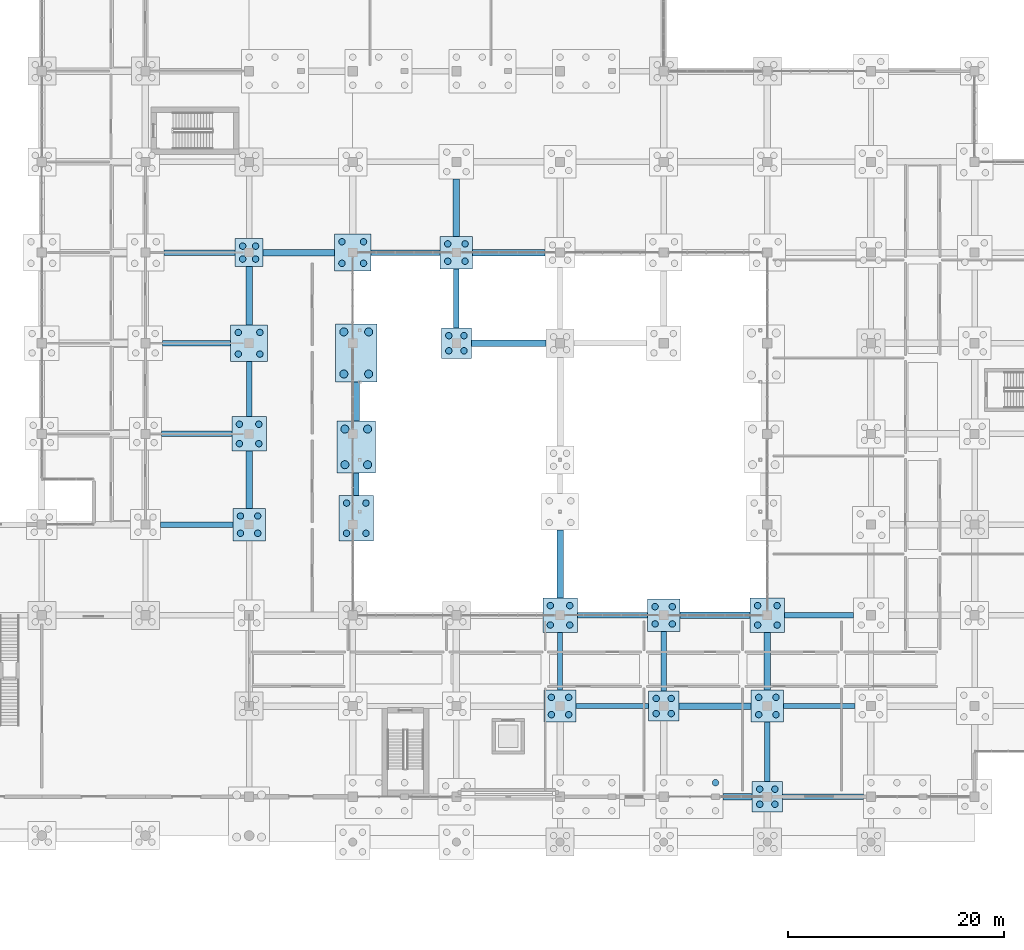
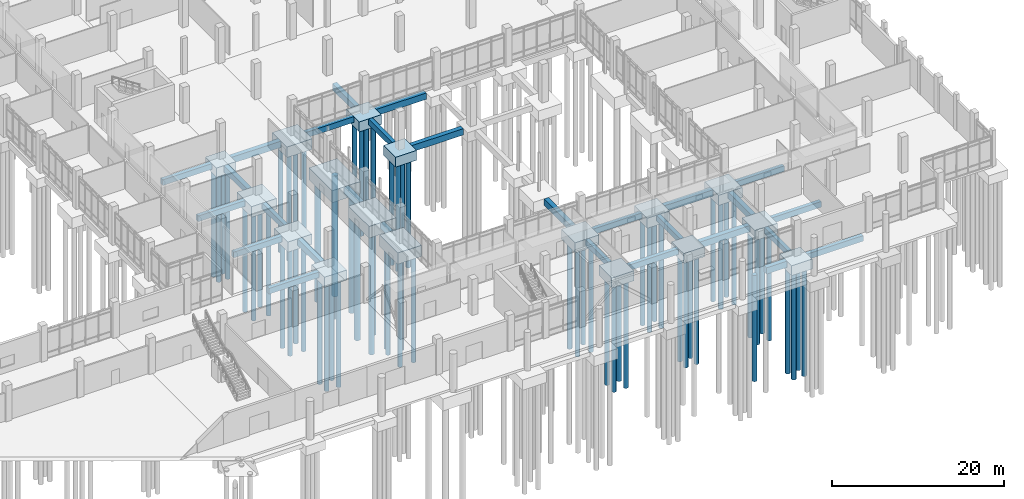
# One storey, part 12 of 136: 69 piles, 45 footings.
"""IFC4 building model written with IfcOpenShell, lengths in metres."""

from ifc_helpers import new_model, si_unit, direction, frame, origin, origin_2d, place, context, subcontext, project, spatial, rectangle, circle, extrude, material, material_profile, profile_set, type_object, element, save


model = new_model("IFC4")

# Units and contexts
model_context = context("Model", 3, precision=1e-05, world=origin(), true_north=direction((0.0, 1.0)))
body_context = subcontext(model_context, "Body", "Model", "MODEL_VIEW")
ifc_project = project(units=[si_unit("LENGTHUNIT", "METRE"), si_unit("AREAUNIT", "SQUARE_METRE"), si_unit("VOLUMEUNIT", "CUBIC_METRE"), si_unit("PLANEANGLEUNIT", "RADIAN"), si_unit("MASSUNIT", "GRAM", prefix="KILO")], contexts=[model_context])

# Site, building, storey
site_placement = place(None, origin())
site = spatial("IfcSite", under=ifc_project, at=site_placement, CompositionType="ELEMENT")
building_placement = place(site_placement, origin())
building = spatial("IfcBuilding", under=site, at=building_placement, Name="Oolite Switchyard Hospital", CompositionType="ELEMENT")
storey_placement = place(building_placement, origin())
storey = spatial("IfcBuildingStorey", under=building, at=storey_placement, Name="L00", CompositionType="ELEMENT", Elevation=0.0)

# Footings
ifc_material = material(Name="Concrete C40/50", Category="concrete")
footing_type_1 = type_object("IfcFootingType", Name="FTG-GB500X800", PredefinedType="FOOTING_BEAM", material=ifc_material)
footing_1_placement = place(storey_placement, frame((187.550048828125, 8.39990234375, -1.14990234375), z_axis=(0.0, 0.0, 1.0), x_axis=(1.0, 0.0, 0.0)))
element("IfcFooting", 1, at=footing_1_placement, inside=storey, type_object=footing_type_1, Name="L00 Grade Beam 18", PredefinedType="FOOTING_BEAM", context=body_context, shape_type="SweptSolid", body=[
    extrude(rectangle(XDim=7.5, YDim=0.5, at=origin_2d()), origin(), (0.0, 0.0, 1.0), 0.800048828125),
])
footing_2_placement = place(storey_placement, frame((168.050048828125, 16.800048828125, -1.14990234375), z_axis=(0.0, 0.0, 1.0), x_axis=(1.0, 0.0, 0.0)))
element("IfcFooting", 2, at=footing_2_placement, inside=storey, type_object=footing_type_1, Name="L00 Grade Beam 30", PredefinedType="FOOTING_BEAM", context=body_context, shape_type="SweptSolid", body=[
    extrude(rectangle(XDim=6.699951171875, YDim=0.5, at=origin_2d()), origin(), (0.0, 0.0, 1.0), 0.800048828125),
])
footing_3_placement = place(storey_placement, frame((187.199951171875, 16.800048828125, -1.14990234375), z_axis=(0.0, 0.0, 1.0), x_axis=(1.0, 0.0, 0.0)))
element("IfcFooting", 3, at=footing_3_placement, inside=storey, type_object=footing_type_1, Name="L00 Grade Beam 32", PredefinedType="FOOTING_BEAM", context=body_context, shape_type="SweptSolid", body=[
    extrude(rectangle(XDim=6.60009765625, YDim=0.5, at=origin_2d()), origin(), (0.0, 0.0, 1.0), 0.800048828125),
])
footing_4_placement = place(storey_placement, frame((168.050048828125, 25.199951171875, -1.14990234375), z_axis=(0.0, 0.0, 1.0), x_axis=(1.0, 0.0, 0.0)))
element("IfcFooting", 4, at=footing_4_placement, inside=storey, type_object=footing_type_1, Name="L00 Grade Beam 52", PredefinedType="FOOTING_BEAM", context=body_context, shape_type="SweptSolid", body=[
    extrude(rectangle(XDim=6.5, YDim=0.5, at=origin_2d()), origin(), (0.0, 0.0, 1.0), 0.800048828125),
])
footing_5_placement = place(storey_placement, frame((187.199951171875, 25.199951171875, -1.14990234375), z_axis=(0.0, 0.0, 1.0), x_axis=(1.0, 0.0, 0.0)))
element("IfcFooting", 5, at=footing_5_placement, inside=storey, type_object=footing_type_1, Name="L00 Grade Beam 54", PredefinedType="FOOTING_BEAM", context=body_context, shape_type="SweptSolid", body=[
    extrude(rectangle(XDim=6.39990234375, YDim=0.5, at=origin_2d()), origin(), (0.0, 0.0, 1.0), 0.800048828125),
])
footing_6_placement = place(storey_placement, frame((129.550048828125, 33.60009765625, -1.14990234375), z_axis=(0.0, 0.0, 1.0), x_axis=(1.0, 0.0, 0.0)))
element("IfcFooting", 6, at=footing_6_placement, inside=storey, type_object=footing_type_1, Name="L00 Grade Beam 70", PredefinedType="FOOTING_BEAM", context=body_context, shape_type="SweptSolid", body=[
    extrude(rectangle(XDim=6.699951171875, YDim=0.5, at=origin_2d()), origin(), (0.0, 0.0, 1.0), 0.800048828125),
])
footing_7_placement = place(storey_placement, frame((129.550048828125, 42.0, -1.14990234375), z_axis=(0.0, 0.0, 1.0), x_axis=(1.0, 0.0, 0.0)))
element("IfcFooting", 7, at=footing_7_placement, inside=storey, type_object=footing_type_1, Name="L00 Grade Beam 80", PredefinedType="FOOTING_BEAM", context=body_context, shape_type="SweptSolid", body=[
    extrude(rectangle(XDim=6.5, YDim=0.5, at=origin_2d()), origin(), (0.0, 0.0, 1.0), 0.800048828125),
])
footing_8_placement = place(storey_placement, frame((129.550048828125, 50.39990234375, -1.14990234375), z_axis=(0.0, 0.0, 1.0), x_axis=(1.0, 0.0, 0.0)))
element("IfcFooting", 8, at=footing_8_placement, inside=storey, type_object=footing_type_1, Name="L00 Grade Beam 90", PredefinedType="FOOTING_BEAM", context=body_context, shape_type="SweptSolid", body=[
    extrude(rectangle(XDim=6.300048828125, YDim=0.5, at=origin_2d()), origin(), (0.0, 0.0, 1.0), 0.800048828125),
])
footing_9_placement = place(storey_placement, frame((129.800048828125, 58.800048828125, -1.14990234375), z_axis=(0.0, 0.0, 1.0), x_axis=(1.0, 0.0, 0.0)))
element("IfcFooting", 9, at=footing_9_placement, inside=storey, type_object=footing_type_1, Name="L00 Grade Beam 102", PredefinedType="FOOTING_BEAM", context=body_context, shape_type="SweptSolid", body=[
    extrude(rectangle(XDim=6.60009765625, YDim=0.5, at=origin_2d()), origin(), (0.0, 0.0, 1.0), 0.800048828125),
])
footing_10_placement = place(storey_placement, frame((148.89990234375, 58.800048828125, -1.14990234375), z_axis=(0.0, 0.0, 1.0), x_axis=(1.0, 0.0, 0.0)))
element("IfcFooting", 10, at=footing_10_placement, inside=storey, type_object=footing_type_1, Name="L00 Grade Beam 104", PredefinedType="FOOTING_BEAM", context=body_context, shape_type="SweptSolid", body=[
    extrude(rectangle(XDim=6.39990234375, YDim=0.5, at=origin_2d()), origin(), (0.0, 0.0, 1.0), 0.800048828125),
])
footing_11_placement = place(storey_placement, frame((134.39990234375, 46.14990234375, -1.14990234375), z_axis=(0.0, 0.0, 1.0), x_axis=(0.0, 1.0, 0.0)))
element("IfcFooting", 11, at=footing_11_placement, inside=storey, type_object=footing_type_1, Name="L00 Grade Beam 425", PredefinedType="FOOTING_BEAM", context=body_context, shape_type="SweptSolid", body=[
    extrude(rectangle(XDim=5.10009765625, YDim=0.5, at=origin_2d()), origin(), (0.0, 0.0, 1.0), 0.800048828125),
])
footing_12_placement = place(storey_placement, frame((144.324951171875, 37.35009765625, -1.14990234375), z_axis=(0.0, 0.0, 1.0), x_axis=(0.0, 1.0, 0.0)))
element("IfcFooting", 12, at=footing_12_placement, inside=storey, type_object=footing_type_1, Name="L00 Grade Beam 443", PredefinedType="FOOTING_BEAM", context=body_context, shape_type="SweptSolid", body=[
    extrude(rectangle(XDim=2.10009765625, YDim=0.5, at=origin_2d()), origin(), (0.0, 0.0, 1.0), 0.800048828125),
])
footing_13_placement = place(storey_placement, frame((153.60009765625, 54.550048828125, -1.14990234375), z_axis=(0.0, 0.0, 1.0), x_axis=(0.0, 1.0, 0.0)))
element("IfcFooting", 13, at=footing_13_placement, inside=storey, type_object=footing_type_1, Name="L00 Grade Beam 447", PredefinedType="FOOTING_BEAM", context=body_context, shape_type="SweptSolid", body=[
    extrude(rectangle(XDim=5.5, YDim=0.5, at=origin_2d()), origin(), (0.0, 0.0, 1.0), 0.800048828125),
])
footing_14_placement = place(storey_placement, frame((163.199951171875, 20.949951171875, -1.14990234375), z_axis=(0.0, 0.0, 1.0), x_axis=(0.0, 1.0, 0.0)))
element("IfcFooting", 14, at=footing_14_placement, inside=storey, type_object=footing_type_1, Name="L00 Grade Beam 457", PredefinedType="FOOTING_BEAM", context=body_context, shape_type="SweptSolid", body=[
    extrude(rectangle(XDim=5.300048828125, YDim=0.5, at=origin_2d()), origin(), (0.0, 0.0, 1.0), 0.800048828125),
])
for number, where, z_axis, x_axis, name in (
    (15, (172.800048828125, 20.949951171875, -1.14990234375), (0.0, 0.0, 1.0), (0.0, 1.0, 0.0), "L00 Grade Beam 471"),
    (16, (182.39990234375, 12.550048828125, -1.14990234375), (0.0, 0.0, 1.0), (0.0, 1.0, 0.0), "L00 Grade Beam 485"),
):
    element("IfcFooting", number, at=place(storey_placement, frame(where, z_axis=z_axis, x_axis=x_axis)), inside=storey, type_object=footing_type_1, Name=name, PredefinedType="FOOTING_BEAM", context=body_context, shape_type="SweptSolid", body=[
        extrude(rectangle(XDim=5.5, YDim=0.5, at=origin_2d()), origin(), (0.0, 0.0, 1.0), 0.800048828125),
    ])
footing_type_2 = type_object("IfcFootingType", Name="FTG-GB600X900", PredefinedType="FOOTING_BEAM", material=ifc_material)
footing_15_placement = place(storey_placement, frame((179.64990234375, 8.39990234375, -1.25), z_axis=(0.0, 0.0, 1.0), x_axis=(1.0, 0.0, 0.0)))
element("IfcFooting", 17, at=footing_15_placement, inside=storey, type_object=footing_type_2, Name="L00 Grade Beam 17", PredefinedType="FOOTING_BEAM", context=body_context, shape_type="SweptSolid", body=[
    extrude(rectangle(XDim=2.699951171875, YDim=0.60009765625, at=origin_2d()), origin(), (0.0, 0.0, 1.0), 0.89990234375),
])
footing_16_placement = place(storey_placement, frame((177.550048828125, 16.800048828125, -1.25), z_axis=(0.0, 0.0, 1.0), x_axis=(1.0, 0.0, 0.0)))
element("IfcFooting", 18, at=footing_16_placement, inside=storey, type_object=footing_type_2, Name="L00 Grade Beam 31", PredefinedType="FOOTING_BEAM", context=body_context, shape_type="SweptSolid", body=[
    extrude(rectangle(XDim=6.699951171875, YDim=0.60009765625, at=origin_2d()), origin(), (0.0, 0.0, 1.0), 0.89990234375),
])
footing_17_placement = place(storey_placement, frame((177.550048828125, 25.199951171875, -1.25), z_axis=(0.0, 0.0, 1.0), x_axis=(1.0, 0.0, 0.0)))
element("IfcFooting", 19, at=footing_17_placement, inside=storey, type_object=footing_type_2, Name="L00 Grade Beam 53", PredefinedType="FOOTING_BEAM", context=body_context, shape_type="SweptSolid", body=[
    extrude(rectangle(XDim=6.5, YDim=0.60009765625, at=origin_2d()), origin(), (0.0, 0.0, 1.0), 0.89990234375),
])
footing_18_placement = place(storey_placement, frame((158.449951171875, 50.39990234375, -1.25), z_axis=(0.0, 0.0, 1.0), x_axis=(1.0, 0.0, 0.0)))
element("IfcFooting", 20, at=footing_18_placement, inside=storey, type_object=footing_type_2, Name="L00 Grade Beam 91", PredefinedType="FOOTING_BEAM", context=body_context, shape_type="SweptSolid", body=[
    extrude(rectangle(XDim=6.89990234375, YDim=0.60009765625, at=origin_2d()), origin(), (0.0, 0.0, 1.0), 0.89990234375),
])
footing_19_placement = place(storey_placement, frame((139.0, 58.800048828125, -1.25), z_axis=(0.0, 0.0, 1.0), x_axis=(1.0, 0.0, 0.0)))
element("IfcFooting", 21, at=footing_19_placement, inside=storey, type_object=footing_type_2, Name="L00 Grade Beam 103", PredefinedType="FOOTING_BEAM", context=body_context, shape_type="SweptSolid", body=[
    extrude(rectangle(XDim=6.60009765625, YDim=0.60009765625, at=origin_2d()), origin(), (0.0, 0.0, 1.0), 0.89990234375),
])
footing_20_placement = place(storey_placement, frame((158.449951171875, 58.800048828125, -1.25), z_axis=(0.0, 0.0, 1.0), x_axis=(1.0, 0.0, 0.0)))
element("IfcFooting", 22, at=footing_20_placement, inside=storey, type_object=footing_type_2, Name="L00 Grade Beam 105", PredefinedType="FOOTING_BEAM", context=body_context, shape_type="SweptSolid", body=[
    extrude(rectangle(XDim=6.699951171875, YDim=0.60009765625, at=origin_2d()), origin(), (0.0, 0.0, 1.0), 0.89990234375),
])
footing_21_placement = place(storey_placement, frame((134.39990234375, 37.75, -1.25), z_axis=(0.0, 0.0, 1.0), x_axis=(0.0, 1.0, 0.0)))
element("IfcFooting", 23, at=footing_21_placement, inside=storey, type_object=footing_type_2, Name="L00 Grade Beam 424", PredefinedType="FOOTING_BEAM", context=body_context, shape_type="SweptSolid", body=[
    extrude(rectangle(XDim=5.300048828125, YDim=0.60009765625, at=origin_2d()), origin(), (0.0, 0.0, 1.0), 0.89990234375),
])
footing_22_placement = place(storey_placement, frame((134.39990234375, 54.800048828125, -1.25), z_axis=(0.0, 0.0, 1.0), x_axis=(0.0, 1.0, 0.0)))
element("IfcFooting", 24, at=footing_22_placement, inside=storey, type_object=footing_type_2, Name="L00 Grade Beam 426", PredefinedType="FOOTING_BEAM", context=body_context, shape_type="SweptSolid", body=[
    extrude(rectangle(XDim=5.39990234375, YDim=0.60009765625, at=origin_2d()), origin(), (0.0, 0.0, 1.0), 0.89990234375),
])
footing_23_placement = place(storey_placement, frame((144.324951171875, 45.0, -1.25), z_axis=(0.0, 0.0, 1.0), x_axis=(0.0, 1.0, 0.0)))
element("IfcFooting", 25, at=footing_23_placement, inside=storey, type_object=footing_type_2, Name="L00 Grade Beam 444", PredefinedType="FOOTING_BEAM", context=body_context, shape_type="SweptSolid", body=[
    extrude(rectangle(XDim=3.60009765625, YDim=0.60009765625, at=origin_2d()), origin(), (0.0, 0.0, 1.0), 0.89990234375),
])
footing_24_placement = place(storey_placement, frame((153.60009765625, 62.949951171875, -1.25), z_axis=(0.0, 0.0, 1.0), x_axis=(0.0, 1.0, 0.0)))
element("IfcFooting", 26, at=footing_24_placement, inside=storey, type_object=footing_type_2, Name="L00 Grade Beam 448", PredefinedType="FOOTING_BEAM", context=body_context, shape_type="SweptSolid", body=[
    extrude(rectangle(XDim=5.300048828125, YDim=0.60009765625, at=origin_2d()), origin(), (0.0, 0.0, 1.0), 0.89990234375),
])
footing_25_placement = place(storey_placement, frame((163.199951171875, 29.949951171875, -1.25), z_axis=(0.0, 0.0, 1.0), x_axis=(0.0, 1.0, 0.0)))
element("IfcFooting", 27, at=footing_25_placement, inside=storey, type_object=footing_type_2, Name="L00 Grade Beam 458", PredefinedType="FOOTING_BEAM", context=body_context, shape_type="SweptSolid", body=[
    extrude(rectangle(XDim=6.300048828125, YDim=0.60009765625, at=origin_2d()), origin(), (0.0, 0.0, 1.0), 0.89990234375),
])
footing_26_placement = place(storey_placement, frame((182.39990234375, 20.949951171875, -1.25), z_axis=(0.0, 0.0, 1.0), x_axis=(0.0, 1.0, 0.0)))
element("IfcFooting", 28, at=footing_26_placement, inside=storey, type_object=footing_type_2, Name="L00 Grade Beam 486", PredefinedType="FOOTING_BEAM", context=body_context, shape_type="SweptSolid", body=[
    extrude(rectangle(XDim=5.300048828125, YDim=0.60009765625, at=origin_2d()), origin(), (0.0, 0.0, 1.0), 0.89990234375),
])
footing_type_3 = type_object("IfcFootingType", Name="FTG-PC24", PredefinedType="PILE_CAP", material=ifc_material)
footing_27_placement = place(storey_placement, frame((134.39990234375, 58.800048828125, -1.64990234375), z_axis=(0.0, 0.0, 1.0), x_axis=(1.0, 0.0, 0.0)))
element("IfcFooting", 29, at=footing_27_placement, inside=storey, type_object=footing_type_3, Name="L00 Multi-Pile Cap 193", PredefinedType="PILE_CAP", context=body_context, shape_type="SweptSolid", body=[
    extrude(rectangle(XDim=2.60009765625, YDim=2.60009765625, at=origin_2d()), origin(), (0.0, 0.0, 1.0), 1.300048828125),
])
footing_type_4 = type_object("IfcFootingType", Name="FTG-PC28", PredefinedType="PILE_CAP", material=ifc_material)
for number, where, z_axis, x_axis, name in (
    (30, (153.60009765625, 50.39990234375, -1.75), (0.0, 0.0, 1.0), (1.0, 0.0, 0.0), "L00 Multi-Pile Cap 224"),
    (31, (172.800048828125, 16.800048828125, -1.75), (0.0, 0.0, 1.0), (1.0, 0.0, 0.0), "L00 Multi-Pile Cap 254"),
    (32, (182.39990234375, 8.39990234375, -1.75), (0.0, 0.0, 1.0), (1.0, 0.0, 0.0), "L00 Multi-Pile Cap 271"),
):
    element("IfcFooting", number, at=place(storey_placement, frame(where, z_axis=z_axis, x_axis=x_axis)), inside=storey, type_object=footing_type_4, Name=name, PredefinedType="PILE_CAP", context=body_context, shape_type="SweptSolid", body=[
        extrude(rectangle(XDim=2.800048828125, YDim=2.800048828125, at=origin_2d()), origin(), (0.0, 0.0, 1.0), 1.39990234375),
    ])
footing_type_5 = type_object("IfcFootingType", Name="FTG-PC30", PredefinedType="PILE_CAP", material=ifc_material)
for number, where, z_axis, x_axis, name in (
    (33, (134.39990234375, 33.60009765625, -1.77001953125), (0.0, 0.0, 1.0), (1.0, 0.0, 0.0), "L00 Multi-Pile Cap 190"),
    (34, (153.60009765625, 58.800048828125, -1.77001953125), (0.0, 0.0, 1.0), (1.0, 0.0, 0.0), "L00 Multi-Pile Cap 225"),
    (35, (163.199951171875, 16.800048828125, -1.77001953125), (0.0, 0.0, 1.0), (1.0, 0.0, 0.0), "L00 Multi-Pile Cap 237"),
    (36, (172.800048828125, 25.199951171875, -1.77001953125), (0.0, 0.0, 1.0), (1.0, 0.0, 0.0), "L00 Multi-Pile Cap 255"),
    (37, (182.39990234375, 16.800048828125, -1.77001953125), (0.0, 0.0, 1.0), (1.0, 0.0, 0.0), "L00 Multi-Pile Cap 272"),
):
    element("IfcFooting", number, at=place(storey_placement, frame(where, z_axis=z_axis, x_axis=x_axis)), inside=storey, type_object=footing_type_5, Name=name, PredefinedType="PILE_CAP", context=body_context, shape_type="SweptSolid", body=[
        extrude(rectangle(XDim=3.0, YDim=3.0, at=origin_2d()), origin(), (0.0, 0.0, 1.0), 1.419921875),
    ])
footing_type_6 = type_object("IfcFootingType", Name="FTG-PC32", PredefinedType="PILE_CAP", material=ifc_material)
for number, where, z_axis, x_axis, name in (
    (38, (134.39990234375, 42.0, -1.7998046875), (0.0, 0.0, 1.0), (1.0, 0.0, 0.0), "L00 Multi-Pile Cap 191"),
    (39, (163.199951171875, 25.199951171875, -1.7998046875), (0.0, 0.0, 1.0), (1.0, 0.0, 0.0), "L00 Multi-Pile Cap 238"),
    (40, (182.39990234375, 25.199951171875, -1.7998046875), (0.0, 0.0, 1.0), (1.0, 0.0, 0.0), "L00 Multi-Pile Cap 273"),
):
    element("IfcFooting", number, at=place(storey_placement, frame(where, z_axis=z_axis, x_axis=x_axis)), inside=storey, type_object=footing_type_6, Name=name, PredefinedType="PILE_CAP", context=body_context, shape_type="SweptSolid", body=[
        extrude(rectangle(XDim=3.199951171875, YDim=3.199951171875, at=origin_2d()), origin(), (0.0, 0.0, 1.0), 1.449951171875),
    ])
footing_type_7 = type_object("IfcFootingType", Name="FTG-PC34", PredefinedType="PILE_CAP", material=ifc_material)
for number, where, z_axis, x_axis, name in (
    (41, (134.39990234375, 50.39990234375, -1.85009765625), (0.0, 0.0, 1.0), (1.0, 0.0, 0.0), "L00 Multi-Pile Cap 192"),
    (42, (144.0, 58.800048828125, -1.85009765625), (0.0, 0.0, 1.0), (1.0, 0.0, 0.0), "L00 Multi-Pile Cap 210"),
):
    element("IfcFooting", number, at=place(storey_placement, frame(where, z_axis=z_axis, x_axis=x_axis)), inside=storey, type_object=footing_type_7, Name=name, PredefinedType="PILE_CAP", context=body_context, shape_type="SweptSolid", body=[
        extrude(rectangle(XDim=3.39990234375, YDim=3.39990234375, at=origin_2d()), origin(), (0.0, 0.0, 1.0), 1.5),
    ])
footing_type_8 = type_object("IfcFootingType", Name="FTG-PC42X32", PredefinedType="PILE_CAP", material=ifc_material)
footing_28_placement = place(storey_placement, frame((144.324951171875, 34.199951171875, -1.949951171875), z_axis=(0.0, 0.0, 1.0), x_axis=(0.0, 1.0, 0.0)))
element("IfcFooting", 43, at=footing_28_placement, inside=storey, type_object=footing_type_8, Name="L00 Multi-Pile Cap 207", PredefinedType="PILE_CAP", context=body_context, shape_type="SweptSolid", body=[
    extrude(rectangle(XDim=4.199951171875, YDim=3.199951171875, at=origin_2d()), origin(), (0.0, 0.0, 1.0), 1.60009765625),
])
footing_type_9 = type_object("IfcFootingType", Name="FTG-PC48X36", PredefinedType="PILE_CAP", material=ifc_material)
footing_29_placement = place(storey_placement, frame((144.324951171875, 40.800048828125, -2.0), z_axis=(0.0, 0.0, 1.0), x_axis=(0.0, 1.0, 0.0)))
element("IfcFooting", 44, at=footing_29_placement, inside=storey, type_object=footing_type_9, Name="L00 Multi-Pile Cap 208", PredefinedType="PILE_CAP", context=body_context, shape_type="SweptSolid", body=[
    extrude(rectangle(XDim=4.800048828125, YDim=3.60009765625, at=origin_2d()), origin(), (0.0, 0.0, 1.0), 1.64990234375),
])
footing_type_10 = type_object("IfcFootingType", Name="FTG-PC54X38", PredefinedType="PILE_CAP", material=ifc_material)
footing_30_placement = place(storey_placement, frame((144.324951171875, 49.5, -2.0498046875), z_axis=(0.0, 0.0, 1.0), x_axis=(0.0, 1.0, 0.0)))
element("IfcFooting", 45, at=footing_30_placement, inside=storey, type_object=footing_type_10, Name="L00 Multi-Pile Cap 209", PredefinedType="PILE_CAP", context=body_context, shape_type="SweptSolid", body=[
    extrude(rectangle(XDim=5.39990234375, YDim=3.800048828125, at=origin_2d()), origin(), (0.0, 0.0, 1.0), 1.699951171875),
])

# Piles
ifc_material_profile_1 = material_profile(ifc_material, circle(Radius=0.300048828125, at=origin_2d()), Name="PILE600")
ifc_profile_set_1 = profile_set([ifc_material_profile_1], Name="Concrete C40/50")
pile_type_1 = type_object("IfcPileType", Name="PILE-ACIP600", PredefinedType="BORED", material=ifc_profile_set_1)
for number, where, z_axis, x_axis, name in (
    (46, (133.60009765625, 32.800048828125, -1.6201171875), (0.0, 0.0, -1.0), (1.0, 0.0, 0.0), "Augercast Pile 757"),
    (47, (135.199951171875, 32.800048828125, -1.6201171875), (0.0, 0.0, -1.0), (1.0, 0.0, 0.0), "Augercast Pile 758"),
    (48, (133.60009765625, 34.39990234375, -1.6201171875), (0.0, 0.0, -1.0), (1.0, 0.0, 0.0), "Augercast Pile 759"),
    (49, (135.199951171875, 34.39990234375, -1.6201171875), (0.0, 0.0, -1.0), (1.0, 0.0, 0.0), "Augercast Pile 760"),
):
    element("IfcPile", number, at=place(storey_placement, frame(where, z_axis=z_axis, x_axis=x_axis)), inside=storey, type_object=pile_type_1, Name=name, PredefinedType="BORED", context=body_context, shape_type="SweptSolid", body=[
        extrude(circle(Radius=0.300048828125, at=origin_2d()), origin(), (0.0, 0.0, 1.0), 15.3798828125),
    ])
for number, where, z_axis, x_axis, name in (
    (50, (133.5, 41.10009765625, -1.64990234375), (0.0, 0.0, -1.0), (1.0, 0.0, 0.0), "Augercast Pile 761"),
    (51, (135.300048828125, 41.10009765625, -1.64990234375), (0.0, 0.0, -1.0), (1.0, 0.0, 0.0), "Augercast Pile 762"),
    (52, (133.5, 42.89990234375, -1.64990234375), (0.0, 0.0, -1.0), (1.0, 0.0, 0.0), "Augercast Pile 763"),
    (53, (135.300048828125, 42.89990234375, -1.64990234375), (0.0, 0.0, -1.0), (1.0, 0.0, 0.0), "Augercast Pile 764"),
):
    element("IfcPile", number, at=place(storey_placement, frame(where, z_axis=z_axis, x_axis=x_axis)), inside=storey, type_object=pile_type_1, Name=name, PredefinedType="BORED", context=body_context, shape_type="SweptSolid", body=[
        extrude(circle(Radius=0.300048828125, at=origin_2d()), origin(), (0.0, 0.0, 1.0), 15.35009765625),
    ])
for number, where, z_axis, x_axis, name in (
    (54, (133.39990234375, 49.39990234375, -1.699951171875), (0.0, 0.0, -1.0), (1.0, 0.0, 0.0), "Augercast Pile 765"),
    (55, (135.39990234375, 49.39990234375, -1.699951171875), (0.0, 0.0, -1.0), (1.0, 0.0, 0.0), "Augercast Pile 766"),
    (56, (133.39990234375, 51.39990234375, -1.699951171875), (0.0, 0.0, -1.0), (1.0, 0.0, 0.0), "Augercast Pile 767"),
    (57, (135.39990234375, 51.39990234375, -1.699951171875), (0.0, 0.0, -1.0), (1.0, 0.0, 0.0), "Augercast Pile 768"),
):
    element("IfcPile", number, at=place(storey_placement, frame(where, z_axis=z_axis, x_axis=x_axis)), inside=storey, type_object=pile_type_1, Name=name, PredefinedType="BORED", context=body_context, shape_type="SweptSolid", body=[
        extrude(circle(Radius=0.300048828125, at=origin_2d()), origin(), (0.0, 0.0, 1.0), 15.300048828125),
    ])
for number, where, z_axis, x_axis, name in (
    (58, (133.800048828125, 58.199951171875, -1.5), (0.0, 0.0, -1.0), (1.0, 0.0, 0.0), "Augercast Pile 769"),
    (59, (135.0, 58.199951171875, -1.5), (0.0, 0.0, -1.0), (1.0, 0.0, 0.0), "Augercast Pile 770"),
    (60, (133.800048828125, 59.39990234375, -1.5), (0.0, 0.0, -1.0), (1.0, 0.0, 0.0), "Augercast Pile 771"),
    (61, (135.0, 59.39990234375, -1.5), (0.0, 0.0, -1.0), (1.0, 0.0, 0.0), "Augercast Pile 772"),
):
    element("IfcPile", number, at=place(storey_placement, frame(where, z_axis=z_axis, x_axis=x_axis)), inside=storey, type_object=pile_type_1, Name=name, PredefinedType="BORED", context=body_context, shape_type="SweptSolid", body=[
        extrude(circle(Radius=0.300048828125, at=origin_2d()), origin(), (0.0, 0.0, 1.0), 15.5),
    ])
for number, where, z_axis, x_axis, name in (
    (62, (143.425048828125, 32.800048828125, -1.800048828125), (0.0, 0.0, -1.0), (1.0, 0.0, 0.0), "Augercast Pile 829"),
    (63, (145.22509765625, 32.800048828125, -1.800048828125), (0.0, 0.0, -1.0), (1.0, 0.0, 0.0), "Augercast Pile 830"),
    (64, (143.425048828125, 35.60009765625, -1.800048828125), (0.0, 0.0, -1.0), (1.0, 0.0, 0.0), "Augercast Pile 831"),
    (65, (145.22509765625, 35.60009765625, -1.800048828125), (0.0, 0.0, -1.0), (1.0, 0.0, 0.0), "Augercast Pile 832"),
):
    element("IfcPile", number, at=place(storey_placement, frame(where, z_axis=z_axis, x_axis=x_axis)), inside=storey, type_object=pile_type_1, Name=name, PredefinedType="BORED", context=body_context, shape_type="SweptSolid", body=[
        extrude(circle(Radius=0.300048828125, at=origin_2d()), origin(), (0.0, 0.0, 1.0), 15.199951171875),
    ])
for number, where, z_axis, x_axis, name in (
    (66, (143.0, 57.800048828125, -1.699951171875), (0.0, 0.0, -1.0), (1.0, 0.0, 0.0), "Augercast Pile 841"),
    (67, (145.0, 57.800048828125, -1.699951171875), (0.0, 0.0, -1.0), (1.0, 0.0, 0.0), "Augercast Pile 842"),
    (68, (143.0, 59.800048828125, -1.699951171875), (0.0, 0.0, -1.0), (1.0, 0.0, 0.0), "Augercast Pile 843"),
    (69, (145.0, 59.800048828125, -1.699951171875), (0.0, 0.0, -1.0), (1.0, 0.0, 0.0), "Augercast Pile 844"),
):
    element("IfcPile", number, at=place(storey_placement, frame(where, z_axis=z_axis, x_axis=x_axis)), inside=storey, type_object=pile_type_1, Name=name, PredefinedType="BORED", context=body_context, shape_type="SweptSolid", body=[
        extrude(circle(Radius=0.300048828125, at=origin_2d()), origin(), (0.0, 0.0, 1.0), 15.300048828125),
    ])
for number, where, z_axis, x_axis, name in (
    (70, (152.89990234375, 49.699951171875, -1.60009765625), (0.0, 0.0, -1.0), (1.0, 0.0, 0.0), "Augercast Pile 899"),
    (71, (154.300048828125, 49.699951171875, -1.60009765625), (0.0, 0.0, -1.0), (1.0, 0.0, 0.0), "Augercast Pile 900"),
    (72, (152.89990234375, 51.10009765625, -1.60009765625), (0.0, 0.0, -1.0), (1.0, 0.0, 0.0), "Augercast Pile 901"),
    (73, (154.300048828125, 51.10009765625, -1.60009765625), (0.0, 0.0, -1.0), (1.0, 0.0, 0.0), "Augercast Pile 902"),
):
    element("IfcPile", number, at=place(storey_placement, frame(where, z_axis=z_axis, x_axis=x_axis)), inside=storey, type_object=pile_type_1, Name=name, PredefinedType="BORED", context=body_context, shape_type="SweptSolid", body=[
        extrude(circle(Radius=0.300048828125, at=origin_2d()), origin(), (0.0, 0.0, 1.0), 15.39990234375),
    ])
for number, where, z_axis, x_axis, name in (
    (74, (152.800048828125, 58.0, -1.6201171875), (0.0, 0.0, -1.0), (1.0, 0.0, 0.0), "Augercast Pile 903"),
    (75, (154.39990234375, 58.0, -1.6201171875), (0.0, 0.0, -1.0), (1.0, 0.0, 0.0), "Augercast Pile 904"),
    (76, (152.800048828125, 59.60009765625, -1.6201171875), (0.0, 0.0, -1.0), (1.0, 0.0, 0.0), "Augercast Pile 905"),
    (77, (154.39990234375, 59.60009765625, -1.6201171875), (0.0, 0.0, -1.0), (1.0, 0.0, 0.0), "Augercast Pile 906"),
    (78, (162.39990234375, 16.0, -1.6201171875), (0.0, 0.0, -1.0), (1.0, 0.0, 0.0), "Augercast Pile 955"),
    (79, (164.0, 16.0, -1.6201171875), (0.0, 0.0, -1.0), (1.0, 0.0, 0.0), "Augercast Pile 956"),
    (80, (162.39990234375, 17.60009765625, -1.6201171875), (0.0, 0.0, -1.0), (1.0, 0.0, 0.0), "Augercast Pile 957"),
    (81, (164.0, 17.60009765625, -1.6201171875), (0.0, 0.0, -1.0), (1.0, 0.0, 0.0), "Augercast Pile 958"),
):
    element("IfcPile", number, at=place(storey_placement, frame(where, z_axis=z_axis, x_axis=x_axis)), inside=storey, type_object=pile_type_1, Name=name, PredefinedType="BORED", context=body_context, shape_type="SweptSolid", body=[
        extrude(circle(Radius=0.300048828125, at=origin_2d()), origin(), (0.0, 0.0, 1.0), 15.3798828125),
    ])
for number, where, z_axis, x_axis, name in (
    (82, (162.300048828125, 24.300048828125, -1.64990234375), (0.0, 0.0, -1.0), (1.0, 0.0, 0.0), "Augercast Pile 959"),
    (83, (164.10009765625, 24.300048828125, -1.64990234375), (0.0, 0.0, -1.0), (1.0, 0.0, 0.0), "Augercast Pile 960"),
    (84, (162.300048828125, 26.10009765625, -1.64990234375), (0.0, 0.0, -1.0), (1.0, 0.0, 0.0), "Augercast Pile 961"),
    (85, (164.10009765625, 26.10009765625, -1.64990234375), (0.0, 0.0, -1.0), (1.0, 0.0, 0.0), "Augercast Pile 962"),
):
    element("IfcPile", number, at=place(storey_placement, frame(where, z_axis=z_axis, x_axis=x_axis)), inside=storey, type_object=pile_type_1, Name=name, PredefinedType="BORED", context=body_context, shape_type="SweptSolid", body=[
        extrude(circle(Radius=0.300048828125, at=origin_2d()), origin(), (0.0, 0.0, 1.0), 15.35009765625),
    ])
pile_placement = place(storey_placement, frame((177.60009765625, 9.699951171875, -1.949951171875), z_axis=(0.0, 0.0, -1.0), x_axis=(1.0, 0.0, 0.0)))
element("IfcPile", 86, at=pile_placement, inside=storey, type_object=pile_type_1, Name="Augercast Pile 1026", PredefinedType="BORED", context=body_context, shape_type="SweptSolid", body=[
    extrude(circle(Radius=0.300048828125, at=origin_2d()), origin(), (0.0, 0.0, 1.0), 15.050048828125),
])
for number, where, z_axis, x_axis, name in (
    (87, (172.10009765625, 16.10009765625, -1.60009765625), (0.0, 0.0, -1.0), (1.0, 0.0, 0.0), "Augercast Pile 1027"),
    (88, (173.5, 16.10009765625, -1.60009765625), (0.0, 0.0, -1.0), (1.0, 0.0, 0.0), "Augercast Pile 1028"),
    (89, (172.10009765625, 17.5, -1.60009765625), (0.0, 0.0, -1.0), (1.0, 0.0, 0.0), "Augercast Pile 1029"),
    (90, (173.5, 17.5, -1.60009765625), (0.0, 0.0, -1.0), (1.0, 0.0, 0.0), "Augercast Pile 1030"),
):
    element("IfcPile", number, at=place(storey_placement, frame(where, z_axis=z_axis, x_axis=x_axis)), inside=storey, type_object=pile_type_1, Name=name, PredefinedType="BORED", context=body_context, shape_type="SweptSolid", body=[
        extrude(circle(Radius=0.300048828125, at=origin_2d()), origin(), (0.0, 0.0, 1.0), 15.39990234375),
    ])
for number, where, z_axis, x_axis, name in (
    (91, (172.0, 24.39990234375, -1.6201171875), (0.0, 0.0, -1.0), (1.0, 0.0, 0.0), "Augercast Pile 1031"),
    (92, (173.60009765625, 24.39990234375, -1.6201171875), (0.0, 0.0, -1.0), (1.0, 0.0, 0.0), "Augercast Pile 1032"),
    (93, (172.0, 26.0, -1.6201171875), (0.0, 0.0, -1.0), (1.0, 0.0, 0.0), "Augercast Pile 1033"),
    (94, (173.60009765625, 26.0, -1.6201171875), (0.0, 0.0, -1.0), (1.0, 0.0, 0.0), "Augercast Pile 1034"),
):
    element("IfcPile", number, at=place(storey_placement, frame(where, z_axis=z_axis, x_axis=x_axis)), inside=storey, type_object=pile_type_1, Name=name, PredefinedType="BORED", context=body_context, shape_type="SweptSolid", body=[
        extrude(circle(Radius=0.300048828125, at=origin_2d()), origin(), (0.0, 0.0, 1.0), 15.3798828125),
    ])
for number, where, z_axis, x_axis, name in (
    (95, (181.699951171875, 7.699951171875, -1.60009765625), (0.0, 0.0, -1.0), (1.0, 0.0, 0.0), "Augercast Pile 1095"),
    (96, (183.10009765625, 7.699951171875, -1.60009765625), (0.0, 0.0, -1.0), (1.0, 0.0, 0.0), "Augercast Pile 1096"),
    (97, (181.699951171875, 9.10009765625, -1.60009765625), (0.0, 0.0, -1.0), (1.0, 0.0, 0.0), "Augercast Pile 1097"),
    (98, (183.10009765625, 9.10009765625, -1.60009765625), (0.0, 0.0, -1.0), (1.0, 0.0, 0.0), "Augercast Pile 1098"),
):
    element("IfcPile", number, at=place(storey_placement, frame(where, z_axis=z_axis, x_axis=x_axis)), inside=storey, type_object=pile_type_1, Name=name, PredefinedType="BORED", context=body_context, shape_type="SweptSolid", body=[
        extrude(circle(Radius=0.300048828125, at=origin_2d()), origin(), (0.0, 0.0, 1.0), 15.39990234375),
    ])
for number, where, z_axis, x_axis, name in (
    (99, (181.60009765625, 16.0, -1.6201171875), (0.0, 0.0, -1.0), (1.0, 0.0, 0.0), "Augercast Pile 1099"),
    (100, (183.199951171875, 16.0, -1.6201171875), (0.0, 0.0, -1.0), (1.0, 0.0, 0.0), "Augercast Pile 1100"),
    (101, (181.60009765625, 17.60009765625, -1.6201171875), (0.0, 0.0, -1.0), (1.0, 0.0, 0.0), "Augercast Pile 1101"),
    (102, (183.199951171875, 17.60009765625, -1.6201171875), (0.0, 0.0, -1.0), (1.0, 0.0, 0.0), "Augercast Pile 1102"),
):
    element("IfcPile", number, at=place(storey_placement, frame(where, z_axis=z_axis, x_axis=x_axis)), inside=storey, type_object=pile_type_1, Name=name, PredefinedType="BORED", context=body_context, shape_type="SweptSolid", body=[
        extrude(circle(Radius=0.300048828125, at=origin_2d()), origin(), (0.0, 0.0, 1.0), 15.3798828125),
    ])
for number, where, z_axis, x_axis, name in (
    (103, (181.5, 24.300048828125, -1.64990234375), (0.0, 0.0, -1.0), (1.0, 0.0, 0.0), "Augercast Pile 1103"),
    (104, (183.300048828125, 24.300048828125, -1.64990234375), (0.0, 0.0, -1.0), (1.0, 0.0, 0.0), "Augercast Pile 1104"),
    (105, (181.5, 26.10009765625, -1.64990234375), (0.0, 0.0, -1.0), (1.0, 0.0, 0.0), "Augercast Pile 1105"),
    (106, (183.300048828125, 26.10009765625, -1.64990234375), (0.0, 0.0, -1.0), (1.0, 0.0, 0.0), "Augercast Pile 1106"),
):
    element("IfcPile", number, at=place(storey_placement, frame(where, z_axis=z_axis, x_axis=x_axis)), inside=storey, type_object=pile_type_1, Name=name, PredefinedType="BORED", context=body_context, shape_type="SweptSolid", body=[
        extrude(circle(Radius=0.300048828125, at=origin_2d()), origin(), (0.0, 0.0, 1.0), 15.35009765625),
    ])
ifc_material_profile_2 = material_profile(ifc_material, circle(Radius=0.375, at=origin_2d()), Name="PILE750")
ifc_profile_set_2 = profile_set([ifc_material_profile_2], Name="Concrete C40/50")
pile_type_2 = type_object("IfcPileType", Name="PILE-ACIP750", PredefinedType="BORED", material=ifc_profile_set_2)
for number, where, z_axis, x_axis, name in (
    (107, (143.27490234375, 39.14990234375, -1.85009765625), (0.0, 0.0, -1.0), (1.0, 0.0, 0.0), "Augercast Pile 833"),
    (108, (145.375, 39.14990234375, -1.85009765625), (0.0, 0.0, -1.0), (1.0, 0.0, 0.0), "Augercast Pile 834"),
    (109, (143.27490234375, 42.449951171875, -1.85009765625), (0.0, 0.0, -1.0), (1.0, 0.0, 0.0), "Augercast Pile 835"),
    (110, (145.375, 42.449951171875, -1.85009765625), (0.0, 0.0, -1.0), (1.0, 0.0, 0.0), "Augercast Pile 836"),
):
    element("IfcPile", number, at=place(storey_placement, frame(where, z_axis=z_axis, x_axis=x_axis)), inside=storey, type_object=pile_type_2, Name=name, PredefinedType="BORED", context=body_context, shape_type="SweptSolid", body=[
        extrude(circle(Radius=0.375, at=origin_2d()), origin(), (0.0, 0.0, 1.0), 17.14990234375),
    ])
for number, where, z_axis, x_axis, name in (
    (111, (143.175048828125, 47.550048828125, -1.89990234375), (0.0, 0.0, -1.0), (1.0, 0.0, 0.0), "Augercast Pile 837"),
    (112, (145.47509765625, 47.550048828125, -1.89990234375), (0.0, 0.0, -1.0), (1.0, 0.0, 0.0), "Augercast Pile 838"),
    (113, (143.175048828125, 51.449951171875, -1.89990234375), (0.0, 0.0, -1.0), (1.0, 0.0, 0.0), "Augercast Pile 839"),
    (114, (145.47509765625, 51.449951171875, -1.89990234375), (0.0, 0.0, -1.0), (1.0, 0.0, 0.0), "Augercast Pile 840"),
):
    element("IfcPile", number, at=place(storey_placement, frame(where, z_axis=z_axis, x_axis=x_axis)), inside=storey, type_object=pile_type_2, Name=name, PredefinedType="BORED", context=body_context, shape_type="SweptSolid", body=[
        extrude(circle(Radius=0.375, at=origin_2d()), origin(), (0.0, 0.0, 1.0), 17.10009765625),
    ])

save(model, "model.ifc")
